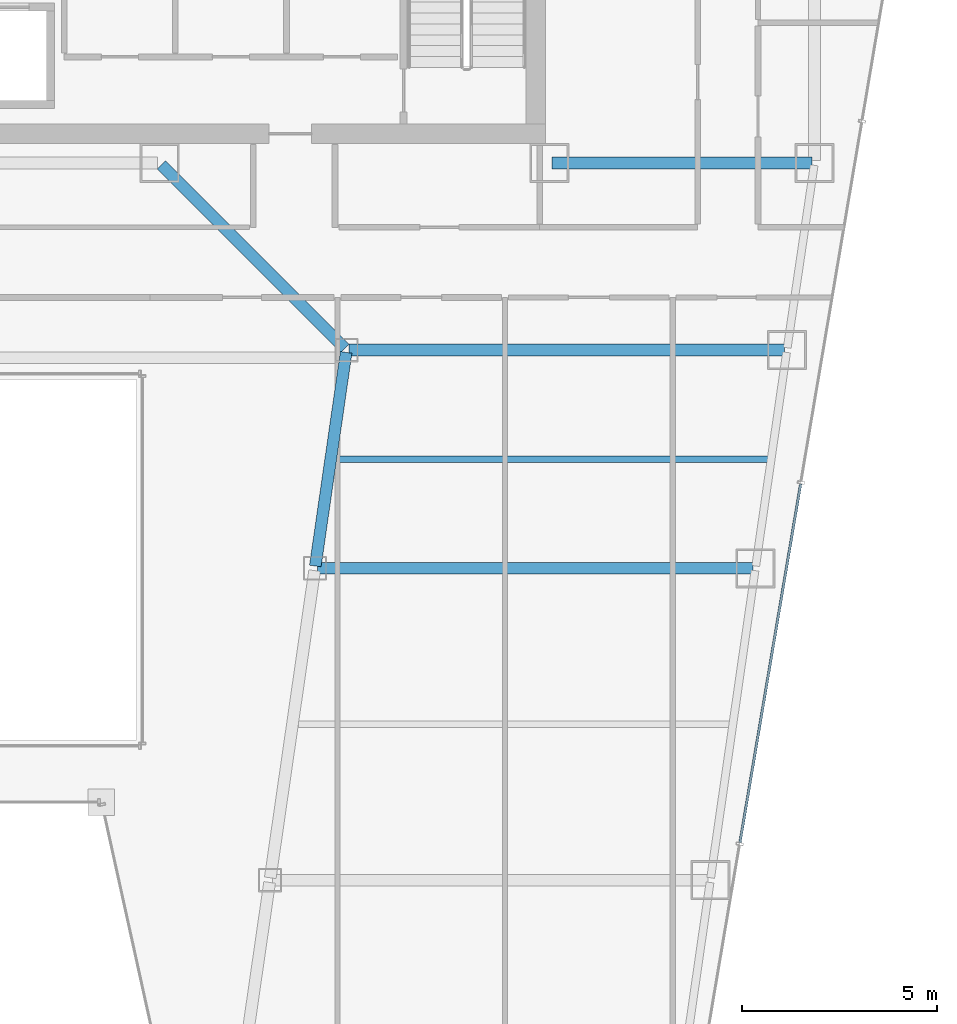
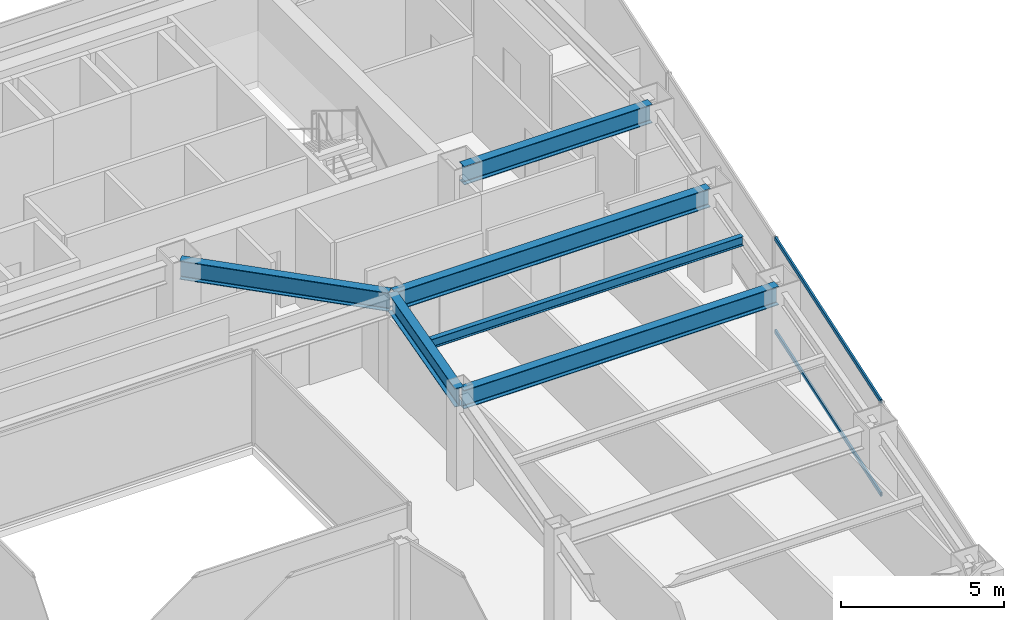
# One storey, part 20 of 35: 6 beams, 2 members, 1 element without a shape of its own.
"""IFC4 building model written with IfcOpenShell, lengths in metres."""

import ifcopenshell
import ifcopenshell.guid

model = None  # the IFC model being written
_history = None  # IfcOwnerHistory: only IFC2X3 demands one
_inside = {}  # id of a spatial element -> (the spatial element, [elements in it])
_under = {}  # id of a project, library or spatial element -> (it, [spatial elements below it])
_declared = {}  # id of a project -> (the project, [libraries it declares])
_typed = {}  # id of a type object -> (the type object, [elements of that type])
_made_of = {}  # id of a material, layer set ... -> (it, [elements and type objects made of it])


def new_model(schema):
    """Start an empty IFC model of exactly this schema.

    Asked for "IFC4X3", IfcOpenShell would pick the latest addendum, in which some entities
    have other attributes; the version numbers below select the first issue.
    IFC2X3 requires an IfcOwnerHistory on every rooted entity: one is made here for all.
    """
    global model, _history
    if schema == "IFC4X3":
        model = ifcopenshell.file(schema_version=(4, 3, 0, 0))
    else:
        model = ifcopenshell.file(schema=schema)
    _inside.clear()
    _under.clear()
    _declared.clear()
    _typed.clear()
    _made_of.clear()
    _history = None
    if model.schema == "IFC2X3":
        org = make("IfcOrganization", Name="unknown")
        user = make(
            "IfcPersonAndOrganization",
            ThePerson=make("IfcPerson", FamilyName="unknown"),
            TheOrganization=org,
        )
        app = make(
            "IfcApplication",
            ApplicationDeveloper=org,
            Version="unknown",
            ApplicationFullName="unknown",
            ApplicationIdentifier="unknown",
        )
        _history = make(
            "IfcOwnerHistory",
            OwningUser=user,
            OwningApplication=app,
            ChangeAction="ADDED",
            CreationDate=0,
        )
    return model


def make(cls, **values):
    """One entity of the class cls with the attributes given. An attribute that is None is left unset."""
    return model.create_entity(
        cls, **{name: value for name, value in values.items() if value is not None}
    )


def rooted(cls, **values):
    """An entity with a GlobalId (a new one), such as an element, a storey or a relation."""
    return make(cls, GlobalId=ifcopenshell.guid.new(), OwnerHistory=_history, **values)


def si_unit(unit_type, name, prefix=None):
    """IfcSIUnit, for example si_unit("LENGTHUNIT", "METRE", prefix="MILLI")."""
    return make("IfcSIUnit", UnitType=unit_type, Prefix=prefix, Name=name)


def assignment(units):
    """IfcUnitAssignment: the units of a project."""
    return None if units is None else make("IfcUnitAssignment", Units=units)


def point(xyz):
    """IfcCartesianPoint."""
    return None if xyz is None else make("IfcCartesianPoint", Coordinates=xyz)


def direction(xyz):
    """IfcDirection."""
    return None if xyz is None else make("IfcDirection", DirectionRatios=xyz)


def frame(location, z_axis=None, x_axis=None):
    """IfcAxis2Placement3D, a coordinate frame: its origin and axes. An axis left out is left unset."""
    return make(
        "IfcAxis2Placement3D",
        Location=point(location),
        Axis=direction(z_axis),
        RefDirection=direction(x_axis),
    )


def frame_2d(location, x_axis=None):
    """IfcAxis2Placement2D, a coordinate frame in the plane: its origin and x axis."""
    return make(
        "IfcAxis2Placement2D", Location=point(location), RefDirection=direction(x_axis)
    )


def origin():
    """The frame at (0, 0, 0) with its axes left unset."""
    return frame((0.0, 0.0, 0.0))


def origin_2d():
    """The frame at (0, 0) in the plane with its x axis left unset."""
    return frame_2d((0.0, 0.0))


def place(relative_to, where):
    """IfcLocalPlacement: puts the frame where relative to a parent placement (None: the world)."""
    return make(
        "IfcLocalPlacement", PlacementRelTo=relative_to, RelativePlacement=where
    )


def context(
    kind, dimensions, precision=None, world=None, true_north=None, identifier=None
):
    """IfcGeometricRepresentationContext, for example the 3D "Model" context."""
    return make(
        "IfcGeometricRepresentationContext",
        ContextIdentifier=identifier,
        ContextType=kind,
        CoordinateSpaceDimension=dimensions,
        Precision=precision,
        WorldCoordinateSystem=world,
        TrueNorth=true_north,
    )


def subcontext(parent, identifier, kind, view, scale=None):
    """IfcGeometricRepresentationSubContext, for example "Body" below "Model"."""
    return make(
        "IfcGeometricRepresentationSubContext",
        ContextIdentifier=identifier,
        ContextType=kind,
        ParentContext=parent,
        TargetScale=scale,
        TargetView=view,
    )


def project(units=None, contexts=None):
    """IfcProject with its units and contexts."""
    return rooted(
        "IfcProject",
        Name="project",
        RepresentationContexts=contexts,
        UnitsInContext=assignment(units),
    )


def spatial(cls, under=None, at=None, **own):
    """A site, building, storey or space (cls), placed at a placement, below another one or the project."""
    s = rooted(cls, ObjectPlacement=at, **own)
    if under is not None:
        _under.setdefault(under.id(), (under, []))[1].append(s)
    return s


def profile(cls, at=None, kind="AREA", **sizes):
    """A parametric profile (cls). Its sizes go by their IFC names, for example OverallWidth=200.0."""
    return make(cls, ProfileType=kind, Position=at, **sizes)


def hollow_rectangle(**sizes):
    """IfcRectangleHollowProfileDef."""
    return profile("IfcRectangleHollowProfileDef", **sizes)


def i_section(**sizes):
    """IfcIShapeProfileDef."""
    return profile("IfcIShapeProfileDef", **sizes)


def extrude(swept, where, along, depth):
    """IfcExtrudedAreaSolid: the profile swept, set in the frame where, extruded along a direction by depth."""
    return make(
        "IfcExtrudedAreaSolid",
        SweptArea=swept,
        Position=where,
        ExtrudedDirection=direction(along),
        Depth=depth,
    )


def shape(context_of_items, identifier, shape_type, items):
    """IfcShapeRepresentation: the items that make up one representation, for example the "Body"."""
    return make(
        "IfcShapeRepresentation",
        ContextOfItems=context_of_items,
        RepresentationIdentifier=identifier,
        RepresentationType=shape_type,
        Items=items,
    )


def material(Name=None, Category=None):
    """IfcMaterial."""
    return make("IfcMaterial", Name=Name, Category=Category)


def material_profile(
    of_material, cross_section, Name=None, Category=None, Priority=None
):
    """IfcMaterialProfile: a cross section and its material."""
    return make(
        "IfcMaterialProfile",
        Name=Name,
        Material=of_material,
        Profile=cross_section,
        Priority=Priority,
        Category=Category,
    )


def profile_set(profiles, Name=None, composite=None):
    """IfcMaterialProfileSet."""
    return make(
        "IfcMaterialProfileSet",
        Name=Name,
        MaterialProfiles=profiles,
        CompositeProfile=composite,
    )


def made_of(thing, what):
    """Note that an element or type object is made of a material, layer set ...; save() writes the relation."""
    if what is not None:
        _made_of.setdefault(what.id(), (what, []))[1].append(thing)
    return thing


def type_object(cls, material=None, **own):
    """A type object (cls), such as IfcWallType, which elements share."""
    return made_of(rooted(cls, **own), material)


def element(
    cls,
    number,
    at=None,
    inside=None,
    cuts=None,
    type_object=None,
    material=None,
    context=None,
    identifier="Body",
    shape_type=None,
    held_by="IfcProductDefinitionShape",
    body=None,
    shapes=None,
    **own,
):
    """One element of the class cls, such as IfcWall. Its Tag is "e" and its number.

    at: its placement. inside: the storey or other place that contains it. cuts: it is an
    opening in that element (IfcRelVoidsElement). A single representation is given by context,
    identifier, shape_type and body (its items); several are given by shapes. held_by: the class
    of the entity that holds the representations. save() writes the other relations.
    """
    e = rooted(cls, Tag="e%d" % number, ObjectPlacement=at, **own)
    if body is not None:
        shapes = [shape(context, identifier, shape_type, body)]
    if shapes is not None:
        e.Representation = make(held_by, Representations=shapes)
    if inside is not None:
        _inside.setdefault(inside.id(), (inside, []))[1].append(e)
    if cuts is not None:
        rooted(
            "IfcRelVoidsElement", RelatingBuildingElement=cuts, RelatedOpeningElement=e
        )
    if type_object is not None:
        _typed.setdefault(type_object.id(), (type_object, []))[1].append(e)
    return made_of(e, material)


def aggregate(whole, parts):
    """IfcRelAggregates: a whole, such as a stair, and the parts it consists of."""
    return rooted("IfcRelAggregates", RelatingObject=whole, RelatedObjects=parts)


def save(model, path):
    """Write the relations noted so far, then the file.

    IfcRelAggregates (storeys below a building ...), IfcRelContainedInSpatialStructure (elements
    in a storey), IfcRelDefinesByType, IfcRelAssociatesMaterial and IfcRelDeclares: one each for
    every whole, place, type object, material and project.
    """
    for whole, parts in _under.values():
        aggregate(whole, parts)
    for where, things in _inside.values():
        rooted(
            "IfcRelContainedInSpatialStructure",
            RelatedElements=things,
            RelatingStructure=where,
        )
    for kind, things in _typed.values():
        rooted("IfcRelDefinesByType", RelatedObjects=things, RelatingType=kind)
    for what, things in _made_of.values():
        rooted("IfcRelAssociatesMaterial", RelatedObjects=things, RelatingMaterial=what)
    for by, libraries in _declared.values():
        rooted("IfcRelDeclares", RelatingContext=by, RelatedDefinitions=libraries)
    model.write(path)


model = new_model("IFC4")

# Units and contexts
model_context = context("Model", 3, precision=1e-05, world=origin(), true_north=direction((0.0, 1.0)))
body_context = subcontext(model_context, "Body", "Model", "MODEL_VIEW")
ifc_project = project(units=[si_unit("LENGTHUNIT", "METRE"), si_unit("AREAUNIT", "SQUARE_METRE"), si_unit("VOLUMEUNIT", "CUBIC_METRE"), si_unit("PLANEANGLEUNIT", "RADIAN"), si_unit("MASSUNIT", "GRAM", prefix="KILO")], contexts=[model_context])

# Site, building, storey
site_placement = place(None, origin())
site = spatial("IfcSite", under=ifc_project, at=site_placement, CompositionType="ELEMENT")
building_placement = place(site_placement, origin())
building = spatial("IfcBuilding", under=site, at=building_placement, Name="Saevonmaru Cultural Tower", CompositionType="ELEMENT")
storey_placement = place(building_placement, frame((0.0, 0.0, 175.199951171875)))
storey = spatial("IfcBuildingStorey", under=building, at=storey_placement, Name="L39", CompositionType="ELEMENT", Elevation=175.199951171875)

# Beams
ifc_material_1 = material(Name="Steel SM355", Category="steel")
ifc_material_profile_1 = material_profile(ifc_material_1, i_section(OverallWidth=0.300048828125, OverallDepth=0.699951171875, WebThickness=0.012939453125, FlangeThickness=0.02392578125, FilletRadius=0.02587890625, at=origin_2d()), Name="H-700x300x13x24")
ifc_profile_set_1 = profile_set([ifc_material_profile_1], Name="Steel SM355")
beam_type_1 = type_object("IfcBeamType", Name="BM-G-H700", PredefinedType="BEAM", material=ifc_profile_set_1)
beam_1_placement = place(storey_placement, frame((46.4599609375, 42.39990234375, 3.199951171875), z_axis=(1.0, 0.0, 0.0), x_axis=(0.0, 1.0, 0.0)))
element("IfcBeam", 1, at=beam_1_placement, inside=storey, type_object=beam_type_1, Name="L39 Core South Girder 5", PredefinedType="BEAM", context=body_context, shape_type="SweptSolid", body=[
    extrude(i_section(OverallWidth=0.300048828125, OverallDepth=0.699951171875, WebThickness=0.012939453125, FlangeThickness=0.02392578125, FilletRadius=0.02587890625, at=origin_2d()), origin(), (0.0, 0.0, 1.0), 6.679931640625),
])
beam_2_placement = place(storey_placement, frame((40.3916015625, 32.059326171875, 3.199951171875), z_axis=(0.142964121327, 0.989727871697, 0.0), x_axis=(-0.989727871697, 0.142964121327, 0.0)))
element("IfcBeam", 2, at=beam_2_placement, inside=storey, type_object=beam_type_1, Name="L39 East Atrium Girder 3", PredefinedType="BEAM", context=body_context, shape_type="SweptSolid", body=[
    extrude(i_section(OverallWidth=0.300048828125, OverallDepth=0.699951171875, WebThickness=0.012939453125, FlangeThickness=0.02392578125, FilletRadius=0.02587890625, at=origin_2d()), origin(), (0.0, 0.0, 1.0), 5.5380859375),
])
beam_3_placement = place(storey_placement, frame((41.149658203125, 37.642578125, 3.199951171875), z_axis=(-0.706538566564, 0.707674539572, 0.0), x_axis=(-0.707674539572, -0.706538566564, 0.0)))
element("IfcBeam", 3, at=beam_3_placement, inside=storey, type_object=beam_type_1, Name="L39 East Atrium Girder 4", PredefinedType="BEAM", context=body_context, shape_type="SweptSolid", body=[
    extrude(i_section(OverallWidth=0.300048828125, OverallDepth=0.699951171875, WebThickness=0.012939453125, FlangeThickness=0.02392578125, FilletRadius=0.02587890625, at=origin_2d()), origin(), (0.0, 0.0, 1.0), 6.662353515625),
])
for number, where, z_axis, x_axis, name in (
    (4, (40.443115234375, 32.0, 3.199951171875), (1.0, 0.0, 0.0), (0.0, 1.0, 0.0), "L39 East Wing Transverse Girder 3"),
    (5, (41.251953125, 37.60009765625, 3.199951171875), (1.0, 0.0, 0.0), (0.0, 1.0, 0.0), "L39 East Wing Transverse Girder 4"),
):
    element("IfcBeam", number, at=place(storey_placement, frame(where, z_axis=z_axis, x_axis=x_axis)), inside=storey, type_object=beam_type_1, Name=name, PredefinedType="BEAM", context=body_context, shape_type="SweptSolid", body=[
        extrude(i_section(OverallWidth=0.300048828125, OverallDepth=0.699951171875, WebThickness=0.012939453125, FlangeThickness=0.02392578125, FilletRadius=0.02587890625, at=origin_2d()), origin(), (0.0, 0.0, 1.0), 11.179931640625),
    ])
ifc_material_profile_2 = material_profile(ifc_material_1, i_section(OverallWidth=0.175048828125, OverallDepth=0.35009765625, WebThickness=0.007080078125, FlangeThickness=0.010986328125, FilletRadius=0.012939453125, at=origin_2d()), Name="H-350x175x7x11")
ifc_profile_set_2 = profile_set([ifc_material_profile_2], Name="Steel SM355")
beam_type_2 = type_object("IfcBeamType", Name="BM-J-H350", PredefinedType="JOIST", material=ifc_profile_set_2)
beam_4_placement = place(storey_placement, frame((40.945556640625, 34.800048828125, 3.375), z_axis=(1.0, 0.0, 0.0), x_axis=(0.0, 1.0, 0.0)))
element("IfcBeam", 6, at=beam_4_placement, inside=storey, type_object=beam_type_2, Name="L39 East Wing Floor Joist 3", PredefinedType="JOIST", context=body_context, shape_type="SweptSolid", body=[
    extrude(i_section(OverallWidth=0.175048828125, OverallDepth=0.35009765625, WebThickness=0.007080078125, FlangeThickness=0.010986328125, FilletRadius=0.012939453125, at=origin_2d()), origin(), (0.0, 0.0, 1.0), 11.08203125),
])

# Curtain wall, members
ifc_material_2 = material(Name="Satin Bronze Anodised Aluminium", Category="aluminium")
curtain_wall_type = type_object("IfcCurtainWallType", Name="CW-TYP-B", PredefinedType="NOTDEFINED", material=ifc_material_2)
curtain_wall_placement = place(storey_placement, origin())
curtain_wall = element("IfcCurtainWall", 7, at=curtain_wall_placement, inside=storey, type_object=curtain_wall_type, Name="L39 Unitised Curtain Wall E8", PredefinedType="NOTDEFINED")
ifc_material_profile_3 = material_profile(ifc_material_2, hollow_rectangle(XDim=0.06494140625, YDim=0.14990234375, WallThickness=0.00390625, at=origin_2d()), Name="ALU-TRAN-150x65x4")
ifc_profile_set_3 = profile_set([ifc_material_profile_3], Name="Satin Bronze Anodised Aluminium")
member_type = type_object("IfcMemberType", Name="TR-CW-150x65", PredefinedType="USERDEFINED", material=ifc_profile_set_3)
member_1_placement = place(storey_placement, frame((51.287109375, 24.961669921875, 0.032470703125), z_axis=(0.166921263871, 0.985970228591, 0.0), x_axis=(-0.985970228591, 0.166921263871, 0.0)))
member_1 = element("IfcMember", 8, at=member_1_placement, type_object=member_type, Name="CW-TW-L39-E8 transom 2.1", ObjectType="TRANSOM", PredefinedType="USERDEFINED", context=body_context, shape_type="SweptSolid", body=[
    extrude(hollow_rectangle(XDim=0.06494140625, YDim=0.14990234375, WallThickness=0.00390625, at=origin_2d()), origin(), (0.0, 0.0, 1.0), 9.33740234375),
])
member_2_placement = place(storey_placement, frame((51.287109375, 24.961669921875, 3.517578125), z_axis=(0.166921263871, 0.985970228591, 0.0), x_axis=(-0.985970228591, 0.166921263871, 0.0)))
member_2 = element("IfcMember", 9, at=member_2_placement, type_object=member_type, Name="CW-TW-L39-E8 transom 2.2", ObjectType="TRANSOM", PredefinedType="USERDEFINED", context=body_context, shape_type="SweptSolid", body=[
    extrude(hollow_rectangle(XDim=0.06494140625, YDim=0.14990234375, WallThickness=0.00390625, at=origin_2d()), origin(), (0.0, 0.0, 1.0), 9.33740234375),
])
aggregate(curtain_wall, [member_1, member_2])

save(model, "model.ifc")
